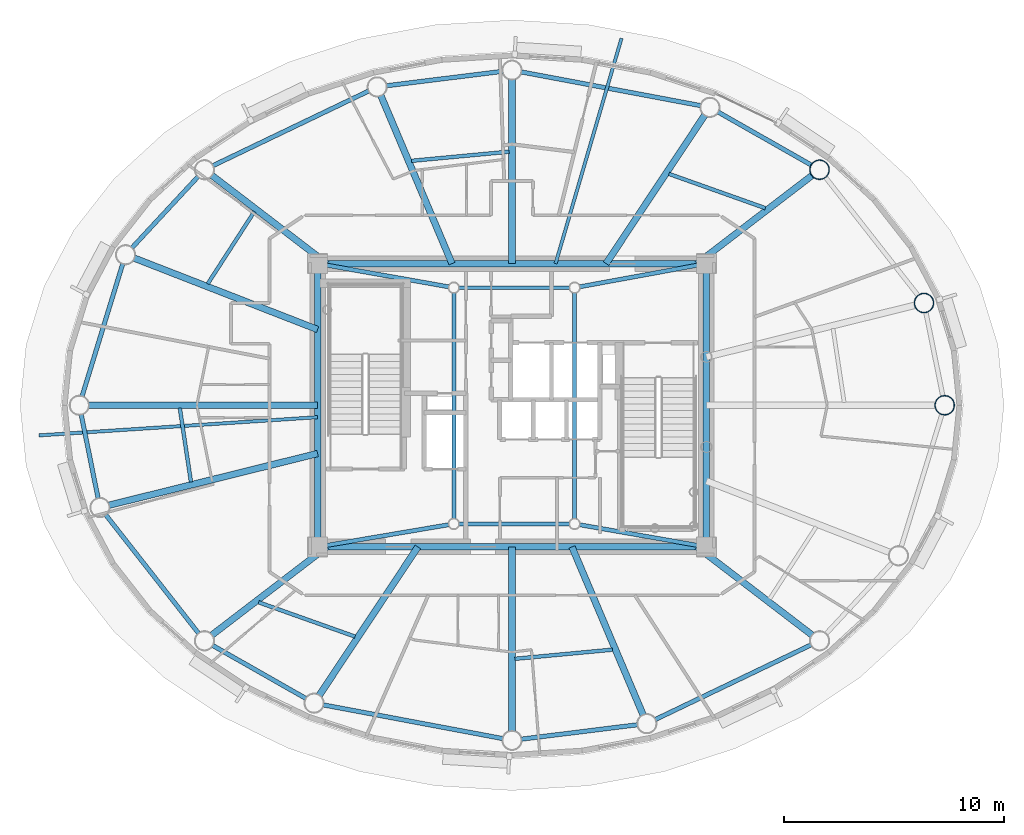
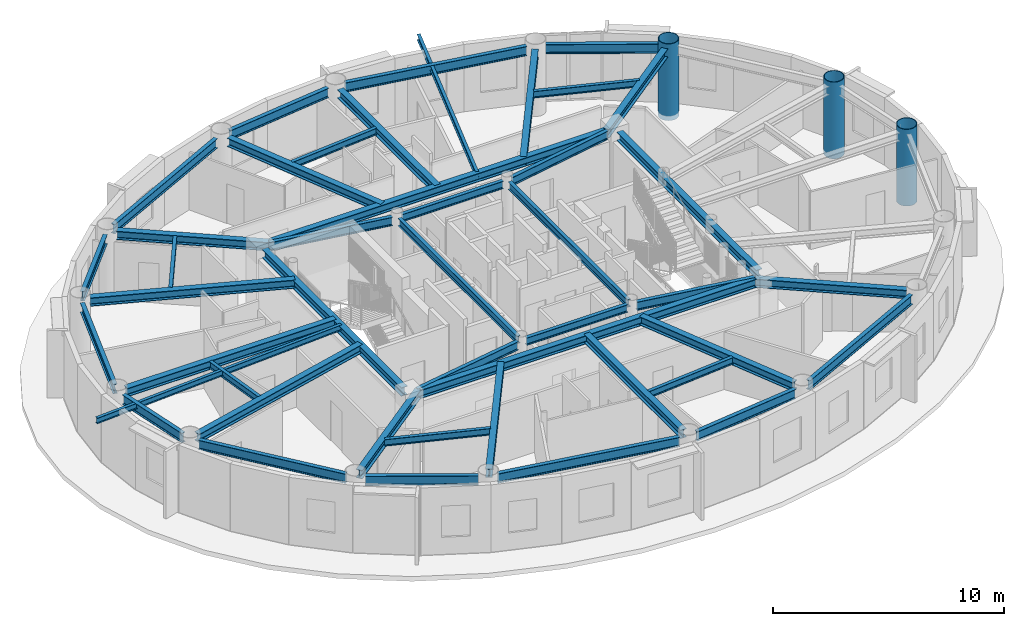
# One storey, part 2 of 17: 45 beams, 3 columns.
"""IFC4 building model written with IfcOpenShell, lengths in metres."""

import ifcopenshell
import ifcopenshell.guid

model = None  # the IFC model being written
_history = None  # IfcOwnerHistory: only IFC2X3 demands one
_inside = {}  # id of a spatial element -> (the spatial element, [elements in it])
_under = {}  # id of a project, library or spatial element -> (it, [spatial elements below it])
_declared = {}  # id of a project -> (the project, [libraries it declares])
_typed = {}  # id of a type object -> (the type object, [elements of that type])
_made_of = {}  # id of a material, layer set ... -> (it, [elements and type objects made of it])


def new_model(schema):
    """Start an empty IFC model of exactly this schema.

    Asked for "IFC4X3", IfcOpenShell would pick the latest addendum, in which some entities
    have other attributes; the version numbers below select the first issue.
    IFC2X3 requires an IfcOwnerHistory on every rooted entity: one is made here for all.
    """
    global model, _history
    if schema == "IFC4X3":
        model = ifcopenshell.file(schema_version=(4, 3, 0, 0))
    else:
        model = ifcopenshell.file(schema=schema)
    _inside.clear()
    _under.clear()
    _declared.clear()
    _typed.clear()
    _made_of.clear()
    _history = None
    if model.schema == "IFC2X3":
        org = make("IfcOrganization", Name="unknown")
        user = make(
            "IfcPersonAndOrganization",
            ThePerson=make("IfcPerson", FamilyName="unknown"),
            TheOrganization=org,
        )
        app = make(
            "IfcApplication",
            ApplicationDeveloper=org,
            Version="unknown",
            ApplicationFullName="unknown",
            ApplicationIdentifier="unknown",
        )
        _history = make(
            "IfcOwnerHistory",
            OwningUser=user,
            OwningApplication=app,
            ChangeAction="ADDED",
            CreationDate=0,
        )
    return model


def make(cls, **values):
    """One entity of the class cls with the attributes given. An attribute that is None is left unset."""
    return model.create_entity(
        cls, **{name: value for name, value in values.items() if value is not None}
    )


def rooted(cls, **values):
    """An entity with a GlobalId (a new one), such as an element, a storey or a relation."""
    return make(cls, GlobalId=ifcopenshell.guid.new(), OwnerHistory=_history, **values)


def si_unit(unit_type, name, prefix=None):
    """IfcSIUnit, for example si_unit("LENGTHUNIT", "METRE", prefix="MILLI")."""
    return make("IfcSIUnit", UnitType=unit_type, Prefix=prefix, Name=name)


def assignment(units):
    """IfcUnitAssignment: the units of a project."""
    return None if units is None else make("IfcUnitAssignment", Units=units)


def point(xyz):
    """IfcCartesianPoint."""
    return None if xyz is None else make("IfcCartesianPoint", Coordinates=xyz)


def direction(xyz):
    """IfcDirection."""
    return None if xyz is None else make("IfcDirection", DirectionRatios=xyz)


def frame(location, z_axis=None, x_axis=None):
    """IfcAxis2Placement3D, a coordinate frame: its origin and axes. An axis left out is left unset."""
    return make(
        "IfcAxis2Placement3D",
        Location=point(location),
        Axis=direction(z_axis),
        RefDirection=direction(x_axis),
    )


def frame_2d(location, x_axis=None):
    """IfcAxis2Placement2D, a coordinate frame in the plane: its origin and x axis."""
    return make(
        "IfcAxis2Placement2D", Location=point(location), RefDirection=direction(x_axis)
    )


def origin():
    """The frame at (0, 0, 0) with its axes left unset."""
    return frame((0.0, 0.0, 0.0))


def origin_2d():
    """The frame at (0, 0) in the plane with its x axis left unset."""
    return frame_2d((0.0, 0.0))


def place(relative_to, where):
    """IfcLocalPlacement: puts the frame where relative to a parent placement (None: the world)."""
    return make(
        "IfcLocalPlacement", PlacementRelTo=relative_to, RelativePlacement=where
    )


def context(
    kind, dimensions, precision=None, world=None, true_north=None, identifier=None
):
    """IfcGeometricRepresentationContext, for example the 3D "Model" context."""
    return make(
        "IfcGeometricRepresentationContext",
        ContextIdentifier=identifier,
        ContextType=kind,
        CoordinateSpaceDimension=dimensions,
        Precision=precision,
        WorldCoordinateSystem=world,
        TrueNorth=true_north,
    )


def subcontext(parent, identifier, kind, view, scale=None):
    """IfcGeometricRepresentationSubContext, for example "Body" below "Model"."""
    return make(
        "IfcGeometricRepresentationSubContext",
        ContextIdentifier=identifier,
        ContextType=kind,
        ParentContext=parent,
        TargetScale=scale,
        TargetView=view,
    )


def project(units=None, contexts=None):
    """IfcProject with its units and contexts."""
    return rooted(
        "IfcProject",
        Name="project",
        RepresentationContexts=contexts,
        UnitsInContext=assignment(units),
    )


def spatial(cls, under=None, at=None, **own):
    """A site, building, storey or space (cls), placed at a placement, below another one or the project."""
    s = rooted(cls, ObjectPlacement=at, **own)
    if under is not None:
        _under.setdefault(under.id(), (under, []))[1].append(s)
    return s


def profile(cls, at=None, kind="AREA", **sizes):
    """A parametric profile (cls). Its sizes go by their IFC names, for example OverallWidth=200.0."""
    return make(cls, ProfileType=kind, Position=at, **sizes)


def hollow_circle(**sizes):
    """IfcCircleHollowProfileDef."""
    return profile("IfcCircleHollowProfileDef", **sizes)


def i_section(**sizes):
    """IfcIShapeProfileDef."""
    return profile("IfcIShapeProfileDef", **sizes)


def extrude(swept, where, along, depth):
    """IfcExtrudedAreaSolid: the profile swept, set in the frame where, extruded along a direction by depth."""
    return make(
        "IfcExtrudedAreaSolid",
        SweptArea=swept,
        Position=where,
        ExtrudedDirection=direction(along),
        Depth=depth,
    )


def shape(context_of_items, identifier, shape_type, items):
    """IfcShapeRepresentation: the items that make up one representation, for example the "Body"."""
    return make(
        "IfcShapeRepresentation",
        ContextOfItems=context_of_items,
        RepresentationIdentifier=identifier,
        RepresentationType=shape_type,
        Items=items,
    )


def material(Name=None, Category=None):
    """IfcMaterial."""
    return make("IfcMaterial", Name=Name, Category=Category)


def material_profile(
    of_material, cross_section, Name=None, Category=None, Priority=None
):
    """IfcMaterialProfile: a cross section and its material."""
    return make(
        "IfcMaterialProfile",
        Name=Name,
        Material=of_material,
        Profile=cross_section,
        Priority=Priority,
        Category=Category,
    )


def profile_set(profiles, Name=None, composite=None):
    """IfcMaterialProfileSet."""
    return make(
        "IfcMaterialProfileSet",
        Name=Name,
        MaterialProfiles=profiles,
        CompositeProfile=composite,
    )


def made_of(thing, what):
    """Note that an element or type object is made of a material, layer set ...; save() writes the relation."""
    if what is not None:
        _made_of.setdefault(what.id(), (what, []))[1].append(thing)
    return thing


def type_object(cls, material=None, **own):
    """A type object (cls), such as IfcWallType, which elements share."""
    return made_of(rooted(cls, **own), material)


def element(
    cls,
    number,
    at=None,
    inside=None,
    cuts=None,
    type_object=None,
    material=None,
    context=None,
    identifier="Body",
    shape_type=None,
    held_by="IfcProductDefinitionShape",
    body=None,
    shapes=None,
    **own,
):
    """One element of the class cls, such as IfcWall. Its Tag is "e" and its number.

    at: its placement. inside: the storey or other place that contains it. cuts: it is an
    opening in that element (IfcRelVoidsElement). A single representation is given by context,
    identifier, shape_type and body (its items); several are given by shapes. held_by: the class
    of the entity that holds the representations. save() writes the other relations.
    """
    e = rooted(cls, Tag="e%d" % number, ObjectPlacement=at, **own)
    if body is not None:
        shapes = [shape(context, identifier, shape_type, body)]
    if shapes is not None:
        e.Representation = make(held_by, Representations=shapes)
    if inside is not None:
        _inside.setdefault(inside.id(), (inside, []))[1].append(e)
    if cuts is not None:
        rooted(
            "IfcRelVoidsElement", RelatingBuildingElement=cuts, RelatedOpeningElement=e
        )
    if type_object is not None:
        _typed.setdefault(type_object.id(), (type_object, []))[1].append(e)
    return made_of(e, material)


def aggregate(whole, parts):
    """IfcRelAggregates: a whole, such as a stair, and the parts it consists of."""
    return rooted("IfcRelAggregates", RelatingObject=whole, RelatedObjects=parts)


def save(model, path):
    """Write the relations noted so far, then the file.

    IfcRelAggregates (storeys below a building ...), IfcRelContainedInSpatialStructure (elements
    in a storey), IfcRelDefinesByType, IfcRelAssociatesMaterial and IfcRelDeclares: one each for
    every whole, place, type object, material and project.
    """
    for whole, parts in _under.values():
        aggregate(whole, parts)
    for where, things in _inside.values():
        rooted(
            "IfcRelContainedInSpatialStructure",
            RelatedElements=things,
            RelatingStructure=where,
        )
    for kind, things in _typed.values():
        rooted("IfcRelDefinesByType", RelatedObjects=things, RelatingType=kind)
    for what, things in _made_of.values():
        rooted("IfcRelAssociatesMaterial", RelatedObjects=things, RelatingMaterial=what)
    for by, libraries in _declared.values():
        rooted("IfcRelDeclares", RelatingContext=by, RelatedDefinitions=libraries)
    model.write(path)


model = new_model("IFC4")

# Units and contexts
model_context = context("Model", 3, precision=1e-05, world=origin(), true_north=direction((0.0, 1.0)))
body_context = subcontext(model_context, "Body", "Model", "MODEL_VIEW")
ifc_project = project(units=[si_unit("LENGTHUNIT", "METRE"), si_unit("AREAUNIT", "SQUARE_METRE"), si_unit("VOLUMEUNIT", "CUBIC_METRE"), si_unit("PLANEANGLEUNIT", "RADIAN"), si_unit("MASSUNIT", "GRAM", prefix="KILO")], contexts=[model_context])

# Site, building, storey
site_placement = place(None, origin())
site = spatial("IfcSite", under=ifc_project, at=site_placement, CompositionType="ELEMENT")
building_placement = place(site_placement, origin())
building = spatial("IfcBuilding", under=site, at=building_placement, Name="Linh Dai School and Residence Tower", CompositionType="ELEMENT")
storey_placement = place(building_placement, frame((0.0, 0.0, 324.0)))
storey = spatial("IfcBuildingStorey", under=building, at=storey_placement, Name="L80", CompositionType="ELEMENT", Elevation=324.0)

# Columns
ifc_material = material(Name="Structural Steel S355JR", Category="steel")
ifc_material_profile_1 = material_profile(ifc_material, hollow_circle(Radius=0.449951171875, WallThickness=0.028076171875, at=origin_2d()), Name="CHS 900x28")
ifc_profile_set_1 = profile_set([ifc_material_profile_1], Name="Structural Steel S355JR")
column_type = type_object("IfcColumnType", Name="COL-MC7", PredefinedType="COLUMN", material=ifc_profile_set_1)
for number, where, z_axis, x_axis, name in (
    (1, (55.699951171875, 27.0, -0.25), (0.0, 0.0, 1.0), (1.0, 0.0, 0.0), "L80 Perimeter CFT Mega-Column MC01"),
    (2, (54.7578125, 31.65478515625, -0.25), (0.0, 0.0, 1.0), (1.0, 0.0, 0.0), "L80 Perimeter CFT Mega-Column MC02"),
    (3, (50.00244140625, 37.72265625, -0.25), (0.0, 0.0, 1.0), (1.0, 0.0, 0.0), "L80 Perimeter CFT Mega-Column MC03"),
):
    element("IfcColumn", number, at=place(storey_placement, frame(where, z_axis=z_axis, x_axis=x_axis)), inside=storey, type_object=column_type, Name=name, PredefinedType="COLUMN", context=body_context, shape_type="SweptSolid", body=[
        extrude(hollow_circle(Radius=0.449951171875, WallThickness=0.028076171875, at=origin_2d()), origin(), (0.0, 0.0, 1.0), 4.050048828125),
    ])

# Beams
ifc_material_profile_2 = material_profile(ifc_material, i_section(OverallWidth=0.14990234375, OverallDepth=0.300048828125, WebThickness=0.007080078125, FlangeThickness=0.0107421875, at=origin_2d()), Name="IPE 300")
ifc_profile_set_2 = profile_set([ifc_material_profile_2], Name="Structural Steel S355JR")
beam_type_1 = type_object("IfcBeamType", Name="BM-BALC-CANT", PredefinedType="BEAM", material=ifc_profile_set_2)
beam_1_placement = place(storey_placement, frame((37.9833984375, 33.449951171875, 3.39990234375), z_axis=(0.280953682983, 0.959721328313, 0.0), x_axis=(-0.959721328313, 0.280953682983, 0.0)))
element("IfcBeam", 4, at=beam_1_placement, inside=storey, type_object=beam_type_1, Name="L81 Balcony Continuous Cantilever Beam 09", PredefinedType="BEAM", context=body_context, shape_type="SweptSolid", body=[
    extrude(i_section(OverallWidth=0.14990234375, OverallDepth=0.300048828125, WebThickness=0.007080078125, FlangeThickness=0.0107421875, at=origin_2d()), origin(), (0.0, 0.0, 1.0), 10.68408203125),
])
beam_2_placement = place(storey_placement, frame((27.14990234375, 26.45654296875, 3.39990234375), z_axis=(-0.997872367571, -0.065197684296, 0.0), x_axis=(0.065197684296, -0.997872367571, 0.0)))
element("IfcBeam", 5, at=beam_2_placement, inside=storey, type_object=beam_type_1, Name="L81 Balcony Continuous Cantilever Beam 21", PredefinedType="BEAM", context=body_context, shape_type="SweptSolid", body=[
    extrude(i_section(OverallWidth=0.14990234375, OverallDepth=0.300048828125, WebThickness=0.007080078125, FlangeThickness=0.0107421875, at=origin_2d()), origin(), (0.0, 0.0, 1.0), 12.70556640625),
])
ifc_material_profile_3 = material_profile(ifc_material, i_section(OverallWidth=0.199951171875, OverallDepth=0.5, WebThickness=0.01025390625, FlangeThickness=0.01611328125, FilletRadius=0.02099609375, at=origin_2d()), Name="IPE 500")
ifc_profile_set_3 = profile_set([ifc_material_profile_3], Name="Structural Steel S355JR")
beam_type_2 = type_object("IfcBeamType", Name="BM-RB50", PredefinedType="BEAM", material=ifc_profile_set_3)
beam_3_placement = place(storey_placement, frame((49.637451171875, 37.930419921875, 3.300048828125), z_axis=(-0.86923725405, 0.494395182189, 0.0), x_axis=(-0.494395182189, -0.86923725405, 0.0)))
element("IfcBeam", 6, at=beam_3_placement, inside=storey, type_object=beam_type_2, Name="L80 Perimeter Elliptical Ring Beam 03", PredefinedType="BEAM", context=body_context, shape_type="SweptSolid", body=[
    extrude(i_section(OverallWidth=0.199951171875, OverallDepth=0.5, WebThickness=0.01025390625, FlangeThickness=0.01611328125, FilletRadius=0.02099609375, at=origin_2d()), origin(), (0.0, 0.0, 1.0), 4.903076171875),
])
beam_4_placement = place(storey_placement, frame((44.597412109375, 40.6396484375, 3.300048828125), z_axis=(-0.98280175603, 0.184663771066, 0.0), x_axis=(-0.184663771066, -0.98280175603, 0.0)))
element("IfcBeam", 7, at=beam_4_placement, inside=storey, type_object=beam_type_2, Name="L80 Perimeter Elliptical Ring Beam 04", PredefinedType="BEAM", context=body_context, shape_type="SweptSolid", body=[
    extrude(i_section(OverallWidth=0.199951171875, OverallDepth=0.5, WebThickness=0.01025390625, FlangeThickness=0.01611328125, FilletRadius=0.02099609375, at=origin_2d()), origin(), (0.0, 0.0, 1.0), 8.327880859375),
])
beam_5_placement = place(storey_placement, frame((35.583251953125, 42.203369140625, 3.300048828125), z_axis=(-0.992398979221, -0.123062041428, 0.0), x_axis=(0.123062041428, -0.992398979221, 0.0)))
element("IfcBeam", 8, at=beam_5_placement, inside=storey, type_object=beam_type_2, Name="L80 Perimeter Elliptical Ring Beam 05", PredefinedType="BEAM", context=body_context, shape_type="SweptSolid", body=[
    extrude(i_section(OverallWidth=0.199951171875, OverallDepth=0.5, WebThickness=0.01025390625, FlangeThickness=0.01611328125, FilletRadius=0.02099609375, at=origin_2d()), origin(), (0.0, 0.0, 1.0), 5.344482421875),
])
beam_6_placement = place(storey_placement, frame((29.483642578125, 41.312255859375, 3.300048828125), z_axis=(-0.901701330417, -0.432359469335, 0.0), x_axis=(0.432359469335, -0.901701330417, 0.0)))
element("IfcBeam", 9, at=beam_6_placement, inside=storey, type_object=beam_type_2, Name="L80 Perimeter Elliptical Ring Beam 06", PredefinedType="BEAM", context=body_context, shape_type="SweptSolid", body=[
    extrude(i_section(OverallWidth=0.199951171875, OverallDepth=0.5, WebThickness=0.01025390625, FlangeThickness=0.01611328125, FilletRadius=0.02099609375, at=origin_2d()), origin(), (0.0, 0.0, 1.0), 7.88232421875),
])
beam_7_placement = place(storey_placement, frame((21.7119140625, 37.4150390625, 3.300048828125), z_axis=(-0.680339330162, -0.732897261446, 0.0), x_axis=(0.732897261446, -0.680339330162, 0.0)))
element("IfcBeam", 10, at=beam_7_placement, inside=storey, type_object=beam_type_2, Name="L80 Perimeter Elliptical Ring Beam 07", PredefinedType="BEAM", context=body_context, shape_type="SweptSolid", body=[
    extrude(i_section(OverallWidth=0.199951171875, OverallDepth=0.5, WebThickness=0.01025390625, FlangeThickness=0.01611328125, FilletRadius=0.02099609375, at=origin_2d()), origin(), (0.0, 0.0, 1.0), 4.440673828125),
])
beam_8_placement = place(storey_placement, frame((18.281494140625, 33.451171875, 3.300048828125), z_axis=(-0.293606003102, -0.955926521728, 0.0), x_axis=(0.955926521728, -0.293606003102, 0.0)))
element("IfcBeam", 11, at=beam_8_placement, inside=storey, type_object=beam_type_2, Name="L80 Perimeter Elliptical Ring Beam 08", PredefinedType="BEAM", context=body_context, shape_type="SweptSolid", body=[
    extrude(i_section(OverallWidth=0.199951171875, OverallDepth=0.5, WebThickness=0.01025390625, FlangeThickness=0.01611328125, FilletRadius=0.02099609375, at=origin_2d()), origin(), (0.0, 0.0, 1.0), 6.32861328125),
])
beam_9_placement = place(storey_placement, frame((16.38330078125, 26.58837890625, 3.300048828125), z_axis=(0.198409502721, -0.980119211744, 0.0), x_axis=(0.980119211744, 0.198409502721, 0.0)))
element("IfcBeam", 12, at=beam_9_placement, inside=storey, type_object=beam_type_2, Name="L80 Perimeter Elliptical Ring Beam 09", PredefinedType="BEAM", context=body_context, shape_type="SweptSolid", body=[
    extrude(i_section(OverallWidth=0.199951171875, OverallDepth=0.5, WebThickness=0.01025390625, FlangeThickness=0.01611328125, FilletRadius=0.02099609375, at=origin_2d()), origin(), (0.0, 0.0, 1.0), 3.9091796875),
])
beam_10_placement = place(storey_placement, frame((17.501220703125, 22.0146484375, 3.300048828125), z_axis=(0.616844770958, -0.787084829318, 0.0), x_axis=(0.787084829318, 0.616844770958, 0.0)))
element("IfcBeam", 13, at=beam_10_placement, inside=storey, type_object=beam_type_2, Name="L80 Perimeter Elliptical Ring Beam 10", PredefinedType="BEAM", context=body_context, shape_type="SweptSolid", body=[
    extrude(i_section(OverallWidth=0.199951171875, OverallDepth=0.5, WebThickness=0.01025390625, FlangeThickness=0.01611328125, FilletRadius=0.02099609375, at=origin_2d()), origin(), (0.0, 0.0, 1.0), 6.869384765625),
])
beam_11_placement = place(storey_placement, frame((22.362548828125, 16.069580078125, 3.300048828125), z_axis=(0.86923725405, -0.494395182189, 0.0), x_axis=(0.494395182189, 0.86923725405, 0.0)))
element("IfcBeam", 14, at=beam_11_placement, inside=storey, type_object=beam_type_2, Name="L80 Perimeter Elliptical Ring Beam 11", PredefinedType="BEAM", context=body_context, shape_type="SweptSolid", body=[
    extrude(i_section(OverallWidth=0.199951171875, OverallDepth=0.5, WebThickness=0.01025390625, FlangeThickness=0.01611328125, FilletRadius=0.02099609375, at=origin_2d()), origin(), (0.0, 0.0, 1.0), 4.903076171875),
])
beam_12_placement = place(storey_placement, frame((27.402587890625, 13.3603515625, 3.300048828125), z_axis=(0.98280175603, -0.184663771066, 0.0), x_axis=(0.184663771066, 0.98280175603, 0.0)))
element("IfcBeam", 15, at=beam_12_placement, inside=storey, type_object=beam_type_2, Name="L80 Perimeter Elliptical Ring Beam 12", PredefinedType="BEAM", context=body_context, shape_type="SweptSolid", body=[
    extrude(i_section(OverallWidth=0.199951171875, OverallDepth=0.5, WebThickness=0.01025390625, FlangeThickness=0.01611328125, FilletRadius=0.02099609375, at=origin_2d()), origin(), (0.0, 0.0, 1.0), 8.327880859375),
])
beam_13_placement = place(storey_placement, frame((36.416748046875, 11.796630859375, 3.300048828125), z_axis=(0.992398979221, 0.123062041428, 0.0), x_axis=(-0.123062041428, 0.992398979221, 0.0)))
element("IfcBeam", 16, at=beam_13_placement, inside=storey, type_object=beam_type_2, Name="L80 Perimeter Elliptical Ring Beam 13", PredefinedType="BEAM", context=body_context, shape_type="SweptSolid", body=[
    extrude(i_section(OverallWidth=0.199951171875, OverallDepth=0.5, WebThickness=0.01025390625, FlangeThickness=0.01611328125, FilletRadius=0.02099609375, at=origin_2d()), origin(), (0.0, 0.0, 1.0), 5.344482421875),
])
beam_14_placement = place(storey_placement, frame((42.516357421875, 12.687744140625, 3.300048828125), z_axis=(0.901701330417, 0.432359469335, 0.0), x_axis=(-0.432359469335, 0.901701330417, 0.0)))
element("IfcBeam", 17, at=beam_14_placement, inside=storey, type_object=beam_type_2, Name="L80 Perimeter Elliptical Ring Beam 14", PredefinedType="BEAM", context=body_context, shape_type="SweptSolid", body=[
    extrude(i_section(OverallWidth=0.199951171875, OverallDepth=0.5, WebThickness=0.01025390625, FlangeThickness=0.01611328125, FilletRadius=0.02099609375, at=origin_2d()), origin(), (0.0, 0.0, 1.0), 7.88232421875),
])
ifc_material_profile_4 = material_profile(ifc_material, i_section(OverallWidth=0.300048828125, OverallDepth=0.449951171875, WebThickness=0.013916015625, FlangeThickness=0.02587890625, FilletRadius=0.027099609375, at=origin_2d()), Name="HEB 450")
ifc_profile_set_4 = profile_set([ifc_material_profile_4], Name="Structural Steel S355JR")
beam_type_3 = type_object("IfcBeamType", Name="BM-RG45", PredefinedType="BEAM", material=ifc_profile_set_4)
beam_15_placement = place(storey_placement, frame((27.570068359375, 20.550048828125, 3.324951171875), z_axis=(1.0, 0.0, 0.0), x_axis=(0.0, 1.0, 0.0)))
element("IfcBeam", 18, at=beam_15_placement, inside=storey, type_object=beam_type_3, Name="L80 Core Perimeter Coupling Girder 1", PredefinedType="BEAM", context=body_context, shape_type="SweptSolid", body=[
    extrude(i_section(OverallWidth=0.300048828125, OverallDepth=0.449951171875, WebThickness=0.013916015625, FlangeThickness=0.02587890625, FilletRadius=0.027099609375, at=origin_2d()), origin(), (0.0, 0.0, 1.0), 16.85986328125),
])
beam_16_placement = place(storey_placement, frame((44.85009765625, 20.969970703125, 3.324951171875), z_axis=(0.0, 1.0, 0.0), x_axis=(-1.0, 0.0, 0.0)))
element("IfcBeam", 19, at=beam_16_placement, inside=storey, type_object=beam_type_3, Name="L80 Core Perimeter Coupling Girder 2", PredefinedType="BEAM", context=body_context, shape_type="SweptSolid", body=[
    extrude(i_section(OverallWidth=0.300048828125, OverallDepth=0.449951171875, WebThickness=0.013916015625, FlangeThickness=0.02587890625, FilletRadius=0.027099609375, at=origin_2d()), origin(), (0.0, 0.0, 1.0), 12.06005859375),
])
beam_17_placement = place(storey_placement, frame((44.429931640625, 33.449951171875, 3.324951171875), z_axis=(-1.0, 0.0, 0.0), x_axis=(0.0, -1.0, 0.0)))
element("IfcBeam", 20, at=beam_17_placement, inside=storey, type_object=beam_type_3, Name="L80 Core Perimeter Coupling Girder 3", PredefinedType="BEAM", context=body_context, shape_type="SweptSolid", body=[
    extrude(i_section(OverallWidth=0.300048828125, OverallDepth=0.449951171875, WebThickness=0.013916015625, FlangeThickness=0.02587890625, FilletRadius=0.027099609375, at=origin_2d()), origin(), (0.0, 0.0, 1.0), 16.85986328125),
])
beam_18_placement = place(storey_placement, frame((27.14990234375, 33.030029296875, 3.324951171875), z_axis=(0.0, -1.0, 0.0), x_axis=(1.0, 0.0, 0.0)))
element("IfcBeam", 21, at=beam_18_placement, inside=storey, type_object=beam_type_3, Name="L80 Core Perimeter Coupling Girder 4", PredefinedType="BEAM", context=body_context, shape_type="SweptSolid", body=[
    extrude(i_section(OverallWidth=0.300048828125, OverallDepth=0.449951171875, WebThickness=0.013916015625, FlangeThickness=0.02587890625, FilletRadius=0.027099609375, at=origin_2d()), origin(), (0.0, 0.0, 1.0), 12.06005859375),
])
beam_19_placement = place(storey_placement, frame((44.4228515625, 33.449951171875, 3.324951171875), z_axis=(0.793929753809, 0.608009495006, 0.0), x_axis=(-0.608009495006, 0.793929753809, 0.0)))
element("IfcBeam", 22, at=beam_19_placement, inside=storey, type_object=beam_type_3, Name="L80 Primary Radial Floor Girder 03", PredefinedType="BEAM", context=body_context, shape_type="SweptSolid", body=[
    extrude(i_section(OverallWidth=0.300048828125, OverallDepth=0.449951171875, WebThickness=0.013916015625, FlangeThickness=0.02587890625, FilletRadius=0.027099609375, at=origin_2d()), origin(), (0.0, 0.0, 1.0), 6.607666015625),
])
beam_20_placement = place(storey_placement, frame((40.28515625, 33.449951171875, 3.324951171875), z_axis=(0.553380967678, 0.832928270989, 0.0), x_axis=(-0.832928270989, 0.553380967678, 0.0)))
element("IfcBeam", 23, at=beam_20_placement, inside=storey, type_object=beam_type_3, Name="L80 Primary Radial Floor Girder 04", PredefinedType="BEAM", context=body_context, shape_type="SweptSolid", body=[
    extrude(i_section(OverallWidth=0.300048828125, OverallDepth=0.449951171875, WebThickness=0.013916015625, FlangeThickness=0.02587890625, FilletRadius=0.027099609375, at=origin_2d()), origin(), (0.0, 0.0, 1.0), 8.11865234375),
])
beam_21_placement = place(storey_placement, frame((36.0, 33.449951171875, 3.324951171875), z_axis=(0.0, 1.0, 0.0), x_axis=(-1.0, 0.0, 0.0)))
element("IfcBeam", 24, at=beam_21_placement, inside=storey, type_object=beam_type_3, Name="L80 Primary Radial Floor Girder 05", PredefinedType="BEAM", context=body_context, shape_type="SweptSolid", body=[
    extrude(i_section(OverallWidth=0.300048828125, OverallDepth=0.449951171875, WebThickness=0.013916015625, FlangeThickness=0.02587890625, FilletRadius=0.027099609375, at=origin_2d()), origin(), (0.0, 0.0, 1.0), 8.385009765625),
])
beam_22_placement = place(storey_placement, frame((33.268798828125, 33.449951171875, 3.324951171875), z_axis=(-0.389954119501, 0.920834287309, 0.0), x_axis=(-0.920834287309, -0.389954119501, 0.0)))
element("IfcBeam", 25, at=beam_22_placement, inside=storey, type_object=beam_type_3, Name="L80 Primary Radial Floor Girder 06", PredefinedType="BEAM", context=body_context, shape_type="SweptSolid", body=[
    extrude(i_section(OverallWidth=0.300048828125, OverallDepth=0.449951171875, WebThickness=0.013916015625, FlangeThickness=0.02587890625, FilletRadius=0.027099609375, at=origin_2d()), origin(), (0.0, 0.0, 1.0), 8.3154296875),
])
beam_23_placement = place(storey_placement, frame((27.5771484375, 33.449951171875, 3.324951171875), z_axis=(-0.793929753809, 0.608009495006, 0.0), x_axis=(-0.608009495006, -0.793929753809, 0.0)))
element("IfcBeam", 26, at=beam_23_placement, inside=storey, type_object=beam_type_3, Name="L80 Primary Radial Floor Girder 07", PredefinedType="BEAM", context=body_context, shape_type="SweptSolid", body=[
    extrude(i_section(OverallWidth=0.300048828125, OverallDepth=0.449951171875, WebThickness=0.013916015625, FlangeThickness=0.02587890625, FilletRadius=0.027099609375, at=origin_2d()), origin(), (0.0, 0.0, 1.0), 6.607666015625),
])
beam_24_placement = place(storey_placement, frame((27.14990234375, 30.44677734375, 3.324951171875), z_axis=(-0.931822607816, 0.362914077384, 0.0), x_axis=(-0.362914077384, -0.931822607816, 0.0)))
element("IfcBeam", 27, at=beam_24_placement, inside=storey, type_object=beam_type_3, Name="L80 Primary Radial Floor Girder 08", PredefinedType="BEAM", context=body_context, shape_type="SweptSolid", body=[
    extrude(i_section(OverallWidth=0.300048828125, OverallDepth=0.449951171875, WebThickness=0.013916015625, FlangeThickness=0.02587890625, FilletRadius=0.027099609375, at=origin_2d()), origin(), (0.0, 0.0, 1.0), 8.964599609375),
])
beam_25_placement = place(storey_placement, frame((27.14990234375, 27.0, 3.324951171875), z_axis=(-1.0, 0.0, 0.0), x_axis=(0.0, -1.0, 0.0)))
element("IfcBeam", 28, at=beam_25_placement, inside=storey, type_object=beam_type_3, Name="L80 Primary Radial Floor Girder 09", PredefinedType="BEAM", context=body_context, shape_type="SweptSolid", body=[
    extrude(i_section(OverallWidth=0.300048828125, OverallDepth=0.449951171875, WebThickness=0.013916015625, FlangeThickness=0.02587890625, FilletRadius=0.027099609375, at=origin_2d()), origin(), (0.0, 0.0, 1.0), 10.429931640625),
])
beam_26_placement = place(storey_placement, frame((27.14990234375, 24.803955078125, 3.324951171875), z_axis=(-0.970563583495, -0.24084503398, 0.0), x_axis=(0.24084503398, -0.970563583495, 0.0)))
element("IfcBeam", 29, at=beam_26_placement, inside=storey, type_object=beam_type_3, Name="L80 Primary Radial Floor Girder 10", PredefinedType="BEAM", context=body_context, shape_type="SweptSolid", body=[
    extrude(i_section(OverallWidth=0.300048828125, OverallDepth=0.449951171875, WebThickness=0.013916015625, FlangeThickness=0.02587890625, FilletRadius=0.027099609375, at=origin_2d()), origin(), (0.0, 0.0, 1.0), 9.7880859375),
])
beam_27_placement = place(storey_placement, frame((27.5771484375, 20.550048828125, 3.324951171875), z_axis=(-0.793929753809, -0.608009495006, 0.0), x_axis=(0.608009495006, -0.793929753809, 0.0)))
element("IfcBeam", 30, at=beam_27_placement, inside=storey, type_object=beam_type_3, Name="L80 Primary Radial Floor Girder 11", PredefinedType="BEAM", context=body_context, shape_type="SweptSolid", body=[
    extrude(i_section(OverallWidth=0.300048828125, OverallDepth=0.449951171875, WebThickness=0.013916015625, FlangeThickness=0.02587890625, FilletRadius=0.027099609375, at=origin_2d()), origin(), (0.0, 0.0, 1.0), 6.607666015625),
])
beam_28_placement = place(storey_placement, frame((31.71484375, 20.550048828125, 3.324951171875), z_axis=(-0.553380967678, -0.832928270989, 0.0), x_axis=(0.832928270989, -0.553380967678, 0.0)))
element("IfcBeam", 31, at=beam_28_placement, inside=storey, type_object=beam_type_3, Name="L80 Primary Radial Floor Girder 12", PredefinedType="BEAM", context=body_context, shape_type="SweptSolid", body=[
    extrude(i_section(OverallWidth=0.300048828125, OverallDepth=0.449951171875, WebThickness=0.013916015625, FlangeThickness=0.02587890625, FilletRadius=0.027099609375, at=origin_2d()), origin(), (0.0, 0.0, 1.0), 8.11865234375),
])
beam_29_placement = place(storey_placement, frame((36.0, 20.550048828125, 3.324951171875), z_axis=(0.0, -1.0, 0.0), x_axis=(1.0, 0.0, 0.0)))
element("IfcBeam", 32, at=beam_29_placement, inside=storey, type_object=beam_type_3, Name="L80 Primary Radial Floor Girder 13", PredefinedType="BEAM", context=body_context, shape_type="SweptSolid", body=[
    extrude(i_section(OverallWidth=0.300048828125, OverallDepth=0.449951171875, WebThickness=0.013916015625, FlangeThickness=0.02587890625, FilletRadius=0.027099609375, at=origin_2d()), origin(), (0.0, 0.0, 1.0), 8.385009765625),
])
beam_30_placement = place(storey_placement, frame((38.731201171875, 20.550048828125, 3.324951171875), z_axis=(0.389954119501, -0.920834287309, 0.0), x_axis=(0.920834287309, 0.389954119501, 0.0)))
element("IfcBeam", 33, at=beam_30_placement, inside=storey, type_object=beam_type_3, Name="L80 Primary Radial Floor Girder 14", PredefinedType="BEAM", context=body_context, shape_type="SweptSolid", body=[
    extrude(i_section(OverallWidth=0.300048828125, OverallDepth=0.449951171875, WebThickness=0.013916015625, FlangeThickness=0.02587890625, FilletRadius=0.027099609375, at=origin_2d()), origin(), (0.0, 0.0, 1.0), 8.3154296875),
])
beam_31_placement = place(storey_placement, frame((44.4228515625, 20.550048828125, 3.324951171875), z_axis=(0.793929753809, -0.608009495006, 0.0), x_axis=(0.608009495006, 0.793929753809, 0.0)))
element("IfcBeam", 34, at=beam_31_placement, inside=storey, type_object=beam_type_3, Name="L80 Primary Radial Floor Girder 15", PredefinedType="BEAM", context=body_context, shape_type="SweptSolid", body=[
    extrude(i_section(OverallWidth=0.300048828125, OverallDepth=0.449951171875, WebThickness=0.013916015625, FlangeThickness=0.02587890625, FilletRadius=0.027099609375, at=origin_2d()), origin(), (0.0, 0.0, 1.0), 6.607666015625),
])
ifc_material_profile_5 = material_profile(ifc_material, i_section(OverallWidth=0.169921875, OverallDepth=0.360107421875, WebThickness=0.008056640625, FlangeThickness=0.0126953125, FilletRadius=0.01806640625, at=origin_2d()), Name="IPE 360")
ifc_profile_set_5 = profile_set([ifc_material_profile_5], Name="Structural Steel S355JR")
beam_type_4 = type_object("IfcBeamType", Name="BM-SB36", PredefinedType="BEAM", material=ifc_profile_set_5)
beam_32_placement = place(storey_placement, frame((47.536376953125, 35.9716796875, 3.3701171875), z_axis=(-0.942243736347, 0.334927964366, 0.0), x_axis=(-0.334927964366, -0.942243736347, 0.0)))
element("IfcBeam", 35, at=beam_32_placement, inside=storey, type_object=beam_type_4, Name="L80 Secondary Circumferential Floor Beam 02", PredefinedType="BEAM", context=body_context, shape_type="SweptSolid", body=[
    extrude(i_section(OverallWidth=0.169921875, OverallDepth=0.360107421875, WebThickness=0.008056640625, FlangeThickness=0.0126953125, FilletRadius=0.01806640625, at=origin_2d()), origin(), (0.0, 0.0, 1.0), 4.6572265625),
])
beam_33_placement = place(storey_placement, frame((35.87060546875, 38.544677734375, 3.3701171875), z_axis=(-0.995634384765, -0.093339015817, 0.0), x_axis=(0.093339015817, -0.995634384765, 0.0)))
element("IfcBeam", 36, at=beam_33_placement, inside=storey, type_object=beam_type_4, Name="L80 Secondary Circumferential Floor Beam 03", PredefinedType="BEAM", context=body_context, shape_type="SweptSolid", body=[
    extrude(i_section(OverallWidth=0.169921875, OverallDepth=0.360107421875, WebThickness=0.008056640625, FlangeThickness=0.0126953125, FilletRadius=0.01806640625, at=origin_2d()), origin(), (0.0, 0.0, 1.0), 4.467529296875),
])
beam_34_placement = place(storey_placement, frame((24.2705078125, 35.819091796875, 3.3701171875), z_axis=(-0.54228601876, -0.840193950143, 0.0), x_axis=(0.840193950143, -0.54228601876, 0.0)))
element("IfcBeam", 37, at=beam_34_placement, inside=storey, type_object=beam_type_4, Name="L80 Secondary Circumferential Floor Beam 04", PredefinedType="BEAM", context=body_context, shape_type="SweptSolid", body=[
    extrude(i_section(OverallWidth=0.169921875, OverallDepth=0.360107421875, WebThickness=0.008056640625, FlangeThickness=0.0126953125, FilletRadius=0.01806640625, at=origin_2d()), origin(), (0.0, 0.0, 1.0), 3.9130859375),
])
beam_35_placement = place(storey_placement, frame((20.87646484375, 26.871337890625, 3.3701171875), z_axis=(0.149150785005, -0.988814463553, 0.0), x_axis=(0.988814463553, 0.149150785005, 0.0)))
element("IfcBeam", 38, at=beam_35_placement, inside=storey, type_object=beam_type_4, Name="L80 Secondary Circumferential Floor Beam 05", PredefinedType="BEAM", context=body_context, shape_type="SweptSolid", body=[
    extrude(i_section(OverallWidth=0.169921875, OverallDepth=0.360107421875, WebThickness=0.008056640625, FlangeThickness=0.0126953125, FilletRadius=0.01806640625, at=origin_2d()), origin(), (0.0, 0.0, 1.0), 3.403076171875),
])
beam_36_placement = place(storey_placement, frame((24.463623046875, 18.0283203125, 3.3701171875), z_axis=(0.942243736347, -0.334927964366, 0.0), x_axis=(0.334927964366, 0.942243736347, 0.0)))
element("IfcBeam", 39, at=beam_36_placement, inside=storey, type_object=beam_type_4, Name="L80 Secondary Circumferential Floor Beam 06", PredefinedType="BEAM", context=body_context, shape_type="SweptSolid", body=[
    extrude(i_section(OverallWidth=0.169921875, OverallDepth=0.360107421875, WebThickness=0.008056640625, FlangeThickness=0.0126953125, FilletRadius=0.01806640625, at=origin_2d()), origin(), (0.0, 0.0, 1.0), 4.6572265625),
])
beam_37_placement = place(storey_placement, frame((36.12939453125, 15.455322265625, 3.3701171875), z_axis=(0.995634384765, 0.093339015817, 0.0), x_axis=(-0.093339015817, 0.995634384765, 0.0)))
element("IfcBeam", 40, at=beam_37_placement, inside=storey, type_object=beam_type_4, Name="L80 Secondary Circumferential Floor Beam 07", PredefinedType="BEAM", context=body_context, shape_type="SweptSolid", body=[
    extrude(i_section(OverallWidth=0.169921875, OverallDepth=0.360107421875, WebThickness=0.008056640625, FlangeThickness=0.0126953125, FilletRadius=0.01806640625, at=origin_2d()), origin(), (0.0, 0.0, 1.0), 4.467529296875),
])
ifc_material_profile_6 = material_profile(ifc_material, i_section(OverallWidth=0.179931640625, OverallDepth=0.39990234375, WebThickness=0.008544921875, FlangeThickness=0.013427734375, FilletRadius=0.02099609375, at=origin_2d()), Name="IPE 400")
ifc_profile_set_6 = profile_set([ifc_material_profile_6], Name="Structural Steel S355JR")
beam_type_5 = type_object("IfcBeamType", Name="BM-SB40", PredefinedType="BEAM", material=ifc_profile_set_6)
beam_38_placement = place(storey_placement, frame((33.573974609375, 21.60009765625, 3.35009765625), z_axis=(1.0, 0.0, 0.0), x_axis=(0.0, 1.0, 0.0)))
element("IfcBeam", 41, at=beam_38_placement, inside=storey, type_object=beam_type_5, Name="L80 Core Mast Pier Tie Beam 1", PredefinedType="BEAM", context=body_context, shape_type="SweptSolid", body=[
    extrude(i_section(OverallWidth=0.179931640625, OverallDepth=0.39990234375, WebThickness=0.008544921875, FlangeThickness=0.013427734375, FilletRadius=0.02099609375, at=origin_2d()), origin(), (0.0, 0.0, 1.0), 5.052001953125),
])
beam_39_placement = place(storey_placement, frame((38.85009765625, 21.823974609375, 3.35009765625), z_axis=(0.0, 1.0, 0.0), x_axis=(-1.0, 0.0, 0.0)))
element("IfcBeam", 42, at=beam_39_placement, inside=storey, type_object=beam_type_5, Name="L80 Core Mast Pier Tie Beam 2", PredefinedType="BEAM", context=body_context, shape_type="SweptSolid", body=[
    extrude(i_section(OverallWidth=0.179931640625, OverallDepth=0.39990234375, WebThickness=0.008544921875, FlangeThickness=0.013427734375, FilletRadius=0.02099609375, at=origin_2d()), origin(), (0.0, 0.0, 1.0), 10.302001953125),
])
beam_40_placement = place(storey_placement, frame((38.6259765625, 32.35009765625, 3.35009765625), z_axis=(-1.0, 0.0, 0.0), x_axis=(0.0, -1.0, 0.0)))
element("IfcBeam", 43, at=beam_40_placement, inside=storey, type_object=beam_type_5, Name="L80 Core Mast Pier Tie Beam 3", PredefinedType="BEAM", context=body_context, shape_type="SweptSolid", body=[
    extrude(i_section(OverallWidth=0.179931640625, OverallDepth=0.39990234375, WebThickness=0.008544921875, FlangeThickness=0.013427734375, FilletRadius=0.02099609375, at=origin_2d()), origin(), (0.0, 0.0, 1.0), 5.052001953125),
])
beam_41_placement = place(storey_placement, frame((33.35009765625, 32.1259765625, 3.35009765625), z_axis=(0.0, -1.0, 0.0), x_axis=(1.0, 0.0, 0.0)))
element("IfcBeam", 44, at=beam_41_placement, inside=storey, type_object=beam_type_5, Name="L80 Core Mast Pier Tie Beam 4", PredefinedType="BEAM", context=body_context, shape_type="SweptSolid", body=[
    extrude(i_section(OverallWidth=0.179931640625, OverallDepth=0.39990234375, WebThickness=0.008544921875, FlangeThickness=0.013427734375, FilletRadius=0.02099609375, at=origin_2d()), origin(), (0.0, 0.0, 1.0), 10.302001953125),
])
ifc_material_profile_7 = material_profile(ifc_material, i_section(OverallWidth=0.18994140625, OverallDepth=0.449951171875, WebThickness=0.009521484375, FlangeThickness=0.0146484375, FilletRadius=0.02099609375, at=origin_2d()), Name="IPE 450")
ifc_profile_set_7 = profile_set([ifc_material_profile_7], Name="Structural Steel S355JR")
beam_type_6 = type_object("IfcBeamType", Name="BM-SB45", PredefinedType="BEAM", material=ifc_profile_set_7)
beam_42_placement = place(storey_placement, frame((27.564208984375, 20.6201171875, 3.324951171875), z_axis=(0.98596270559, 0.166965694638, 0.0), x_axis=(-0.166965694638, 0.98596270559, 0.0)))
element("IfcBeam", 45, at=beam_42_placement, inside=storey, type_object=beam_type_6, Name="L80 Core Corner-to-Mast Pier Beam 1", PredefinedType="BEAM", context=body_context, shape_type="SweptSolid", body=[
    extrude(i_section(OverallWidth=0.18994140625, OverallDepth=0.449951171875, WebThickness=0.009521484375, FlangeThickness=0.0146484375, FilletRadius=0.02099609375, at=origin_2d()), origin(), (0.0, 0.0, 1.0), 5.644287109375),
])
beam_43_placement = place(storey_placement, frame((44.436279296875, 20.622314453125, 3.324951171875), z_axis=(-0.985031608673, 0.17237380867, 0.0), x_axis=(-0.17237380867, -0.985031608673, 0.0)))
element("IfcBeam", 46, at=beam_43_placement, inside=storey, type_object=beam_type_6, Name="L80 Core Corner-to-Mast Pier Beam 2", PredefinedType="BEAM", context=body_context, shape_type="SweptSolid", body=[
    extrude(i_section(OverallWidth=0.18994140625, OverallDepth=0.449951171875, WebThickness=0.009521484375, FlangeThickness=0.0146484375, FilletRadius=0.02099609375, at=origin_2d()), origin(), (0.0, 0.0, 1.0), 5.447265625),
])
beam_44_placement = place(storey_placement, frame((44.436767578125, 33.374267578125, 3.324951171875), z_axis=(-0.983605366802, -0.180334362777, 0.0), x_axis=(0.180334362777, -0.983605366802, 0.0)))
element("IfcBeam", 47, at=beam_44_placement, inside=storey, type_object=beam_type_6, Name="L80 Core Corner-to-Mast Pier Beam 3", PredefinedType="BEAM", context=body_context, shape_type="SweptSolid", body=[
    extrude(i_section(OverallWidth=0.18994140625, OverallDepth=0.449951171875, WebThickness=0.009521484375, FlangeThickness=0.0146484375, FilletRadius=0.02099609375, at=origin_2d()), origin(), (0.0, 0.0, 1.0), 5.455810546875),
])
beam_45_placement = place(storey_placement, frame((27.5634765625, 33.376708984375, 3.324951171875), z_axis=(0.984621828197, -0.174699328672, 0.0), x_axis=(0.174699328672, 0.984621828197, 0.0)))
element("IfcBeam", 48, at=beam_45_placement, inside=storey, type_object=beam_type_6, Name="L80 Core Corner-to-Mast Pier Beam 4", PredefinedType="BEAM", context=body_context, shape_type="SweptSolid", body=[
    extrude(i_section(OverallWidth=0.18994140625, OverallDepth=0.449951171875, WebThickness=0.009521484375, FlangeThickness=0.0146484375, FilletRadius=0.02099609375, at=origin_2d()), origin(), (0.0, 0.0, 1.0), 5.65283203125),
])

save(model, "model.ifc")
